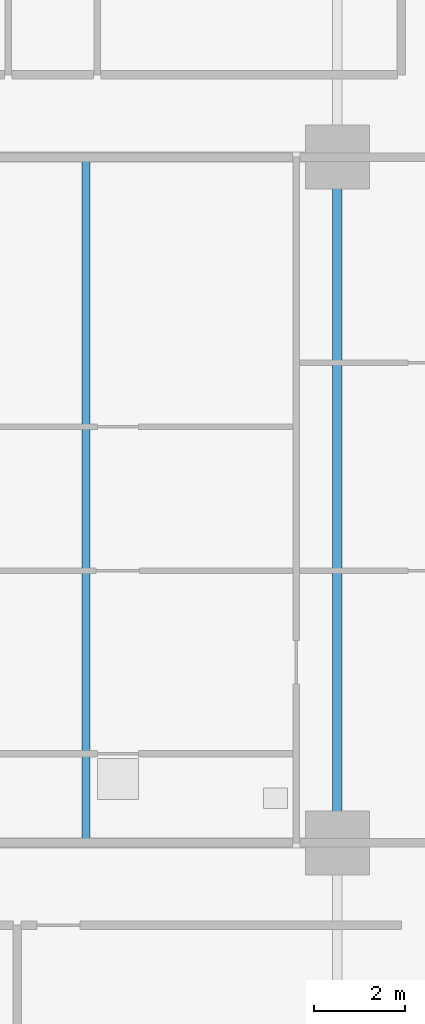
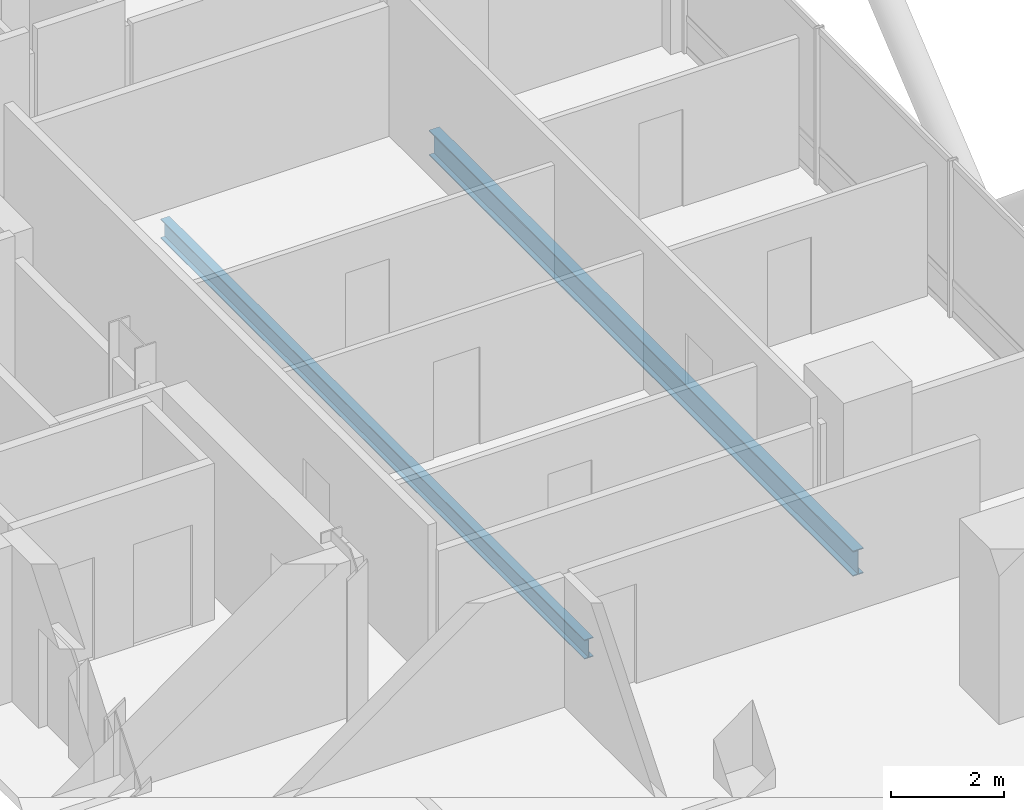
# One storey, part 11 of 27: 2 beams.
"""IFC4 building model written with IfcOpenShell, lengths in metres."""

from ifc_helpers import new_model, si_unit, direction, frame, origin, origin_2d, place, context, subcontext, project, spatial, i_section, extrude, material, material_profile, profile_set, type_object, element, save


model = new_model("IFC4")

# Units and contexts
model_context = context("Model", 3, precision=1e-05, world=origin(), true_north=direction((0.0, 1.0)))
body_context = subcontext(model_context, "Body", "Model", "MODEL_VIEW")
ifc_project = project(units=[si_unit("LENGTHUNIT", "METRE"), si_unit("AREAUNIT", "SQUARE_METRE"), si_unit("VOLUMEUNIT", "CUBIC_METRE"), si_unit("PLANEANGLEUNIT", "RADIAN"), si_unit("MASSUNIT", "GRAM", prefix="KILO")], contexts=[model_context])

# Site, building, storey
site_placement = place(None, origin())
site = spatial("IfcSite", under=ifc_project, at=site_placement, CompositionType="ELEMENT")
building_placement = place(site_placement, origin())
building = spatial("IfcBuilding", under=site, at=building_placement, Name="Barlavira Tower and Art Museum", CompositionType="ELEMENT")
storey_placement = place(building_placement, frame((0.0, 0.0, 61.199951171875)))
storey = spatial("IfcBuildingStorey", under=building, at=storey_placement, Name="L14", CompositionType="ELEMENT", Elevation=61.199951171875)

# Beams
ifc_material = material(Name="Steel S355", Category="steel")
ifc_material_profile_1 = material_profile(ifc_material, i_section(OverallWidth=0.180908203125, OverallDepth=0.4169921875, WebThickness=0.010986328125, FlangeThickness=0.018310546875, at=origin_2d()), Name="W410x85.0")
ifc_profile_set_1 = profile_set([ifc_material_profile_1], Name="Steel S355")
beam_type_1 = type_object("IfcBeamType", Name="Zone 1 Composite Floor Joist W410x85 Steel S355", PredefinedType="JOIST", material=ifc_profile_set_1)
beam_1_placement = place(storey_placement, frame((11.5, -7.5, -0.428466796875), z_axis=(0.0, 1.0, 0.0), x_axis=(-1.0, 0.0, 0.0)))
element("IfcBeam", 1, at=beam_1_placement, inside=storey, type_object=beam_type_1, Name="L14 Joist W2", PredefinedType="JOIST", context=body_context, shape_type="SweptSolid", body=[
    extrude(i_section(OverallWidth=0.180908203125, OverallDepth=0.4169921875, WebThickness=0.010986328125, FlangeThickness=0.018310546875, at=origin_2d()), origin(), (0.0, 0.0, 1.0), 15.0),
])
ifc_material_profile_2 = material_profile(ifc_material, i_section(OverallWidth=0.214111328125, OverallDepth=0.549072265625, WebThickness=0.0146484375, FlangeThickness=0.023681640625, at=origin_2d()), Name="W530x138.0")
ifc_profile_set_2 = profile_set([ifc_material_profile_2], Name="Steel S355")
beam_type_2 = type_object("IfcBeamType", Name="Zone 1 Primary Floor Girder W530x138 Steel S355", PredefinedType="BEAM", material=ifc_profile_set_2)
beam_2_placement = place(storey_placement, frame((17.0, -7.5, -0.494384765625), z_axis=(0.0, 1.0, 0.0), x_axis=(-1.0, 0.0, 0.0)))
element("IfcBeam", 2, at=beam_2_placement, inside=storey, type_object=beam_type_2, Name="L14 Girder M-E2", PredefinedType="BEAM", context=body_context, shape_type="SweptSolid", body=[
    extrude(i_section(OverallWidth=0.214111328125, OverallDepth=0.549072265625, WebThickness=0.0146484375, FlangeThickness=0.023681640625, at=origin_2d()), origin(), (0.0, 0.0, 1.0), 15.0),
])

save(model, "model.ifc")
